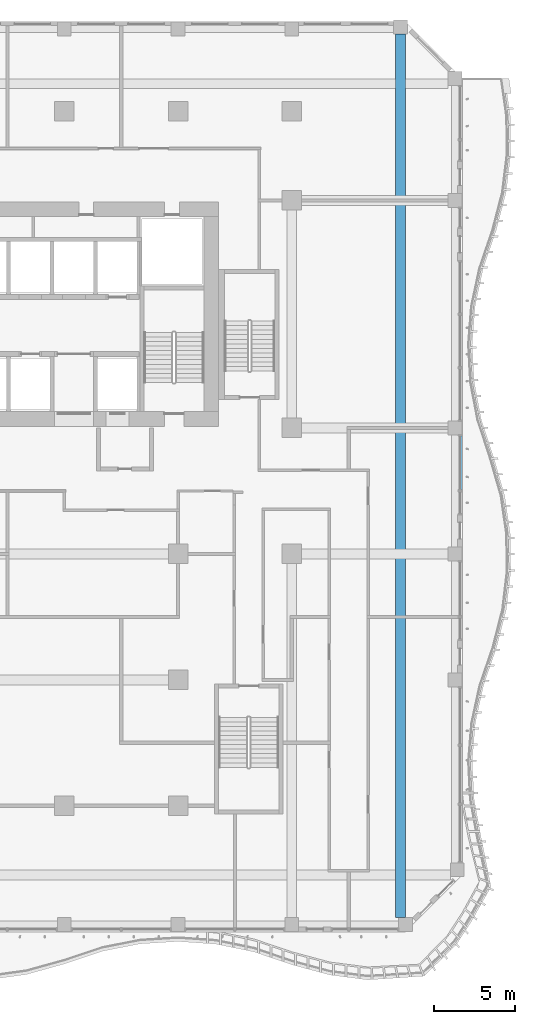
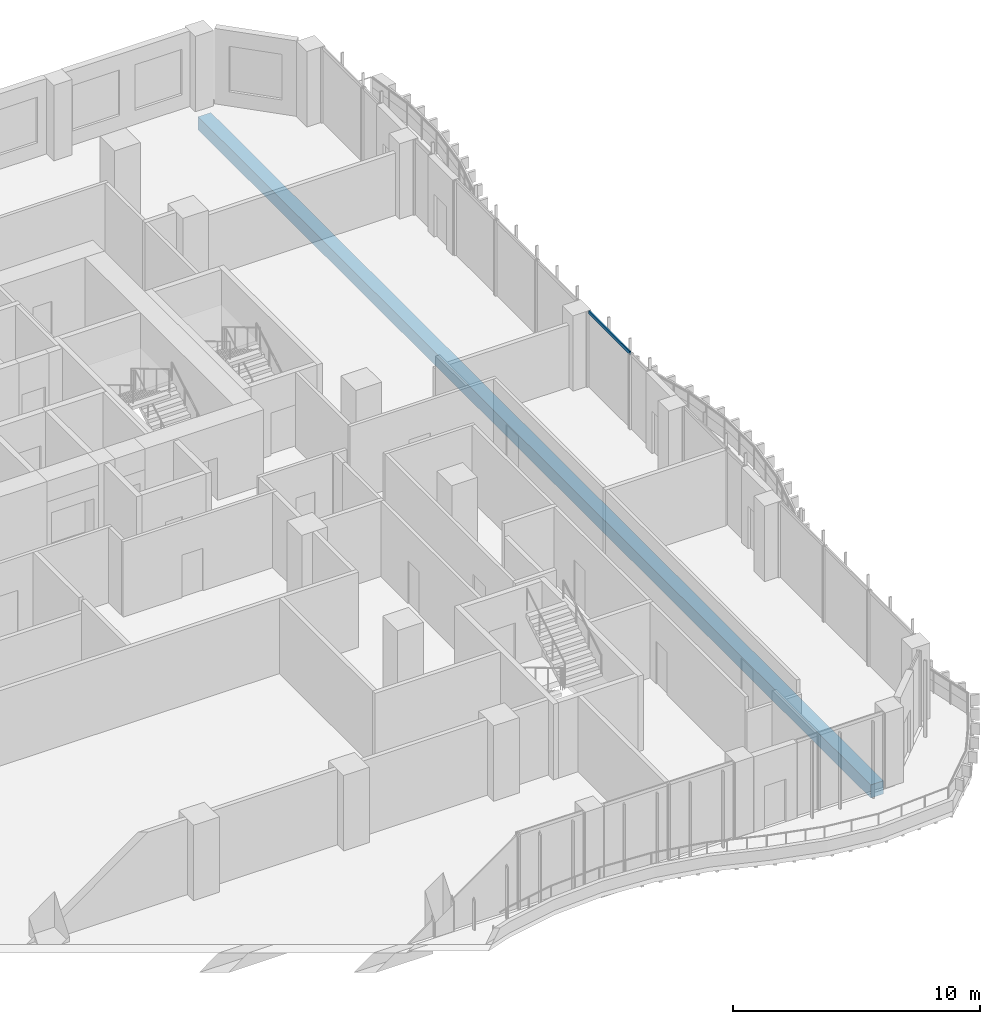
# One storey, part 7 of 27: 1 beam, 1 member, 1 element without a shape of its own.
"""IFC4 building model written with IfcOpenShell, lengths in metres."""

from ifc_helpers import new_model, si_unit, direction, frame, origin, origin_2d, place, context, subcontext, project, spatial, rectangle, extrude, source, transform, mapped, material, material_profile, profile_set, type_object, element, aggregate, save


model = new_model("IFC4")

# Units and contexts
model_context = context("Model", 3, precision=1e-05, world=origin(), true_north=direction((0.0, 1.0)))
body_context = subcontext(model_context, "Body", "Model", "MODEL_VIEW")
ifc_project = project(units=[si_unit("LENGTHUNIT", "METRE"), si_unit("AREAUNIT", "SQUARE_METRE"), si_unit("VOLUMEUNIT", "CUBIC_METRE"), si_unit("PLANEANGLEUNIT", "RADIAN"), si_unit("MASSUNIT", "GRAM", prefix="KILO")], contexts=[model_context])

# Site, building, storey
site_placement = place(None, origin())
site = spatial("IfcSite", under=ifc_project, at=site_placement, CompositionType="ELEMENT")
building_placement = place(site_placement, origin())
building = spatial("IfcBuilding", under=site, at=building_placement, Name="Kilnfold Tower and Market Hall", CompositionType="ELEMENT")
storey_placement = place(building_placement, frame((0.0, 0.0, 116.60009765625)))
storey = spatial("IfcBuildingStorey", under=building, at=storey_placement, Name="L27", CompositionType="ELEMENT", Elevation=116.60009765625)

# Beam
ifc_material_1 = material(Name="Concrete C45", Category="concrete")
ifc_material_profile_1 = material_profile(ifc_material_1, rectangle(XDim=0.60009765625, YDim=0.64990234375, at=origin_2d()), Name="RC 600x650")
ifc_profile_set_1 = profile_set([ifc_material_profile_1], Name="Concrete C45")
beam_type = type_object("IfcBeamType", Name="BEAM 600X650 C45", PredefinedType="BEAM", material=ifc_profile_set_1)
shared_shape_1 = source(origin(), body_context, "Body", "SweptSolid", [
    extrude(rectangle(XDim=0.60009765625, YDim=0.64990234375, at=origin_2d()), origin(), (0.0, 0.0, 1.0), 54.3818359375),
])
beam_placement = place(storey_placement, frame((29.179931640625, -22.125, -0.60498046875), z_axis=(0.0, 1.0, 0.0), x_axis=(-1.0, 0.0, 0.0)))
element("IfcBeam", 1, at=beam_placement, inside=storey, type_object=beam_type, Name="Beam BB650-B3.82", PredefinedType="BEAM", context=body_context, shape_type="MappedRepresentation", body=[
    mapped(shared_shape_1, transform((0.0, 0.0, 0.0))),
])

# Curtain wall, member
ifc_material_2 = material(Name="Aluminium and double glazing", Category="aluminium")
curtain_wall_type = type_object("IfcCurtainWallType", Name="CW OF2 VALLEY GLAZING", PredefinedType="NOTDEFINED", material=ifc_material_2)
curtain_wall_placement = place(storey_placement, origin())
curtain_wall = element("IfcCurtainWall", 2, at=curtain_wall_placement, inside=storey, type_object=curtain_wall_type, Name="Curtain wall CW2 L27 E", PredefinedType="NOTDEFINED")
ifc_material_3 = material(Name="Aluminium", Category="aluminium")
ifc_material_profile_2 = material_profile(ifc_material_3, rectangle(XDim=0.06005859375, YDim=0.159912109375, at=origin_2d()), Name="TRANSOM 60x160")
ifc_profile_set_2 = profile_set([ifc_material_profile_2], Name="Aluminium")
member_type = type_object("IfcMemberType", Name="TRANSOM 60X160", PredefinedType="USERDEFINED", material=ifc_profile_set_2)
shared_shape_2 = source(origin(), body_context, "Body", "SweptSolid", [
    extrude(rectangle(XDim=0.06005859375, YDim=0.159912109375, at=origin_2d()), origin(), (0.0, 0.0, 1.0), 3.329833984375),
])
member_placement = place(storey_placement, frame((32.85009765625, 4.18505859375, 3.68994140625), z_axis=(0.0, 1.0, 0.0), x_axis=(-1.0, 0.0, 0.0)))
member = element("IfcMember", 3, at=member_placement, type_object=member_type, Name="CW2 transom 1.2", ObjectType="TRANSOM", PredefinedType="USERDEFINED", context=body_context, shape_type="MappedRepresentation", body=[
    mapped(shared_shape_2, transform((0.0, 0.0, 0.0))),
])
aggregate(curtain_wall, [member])

save(model, "model.ifc")
